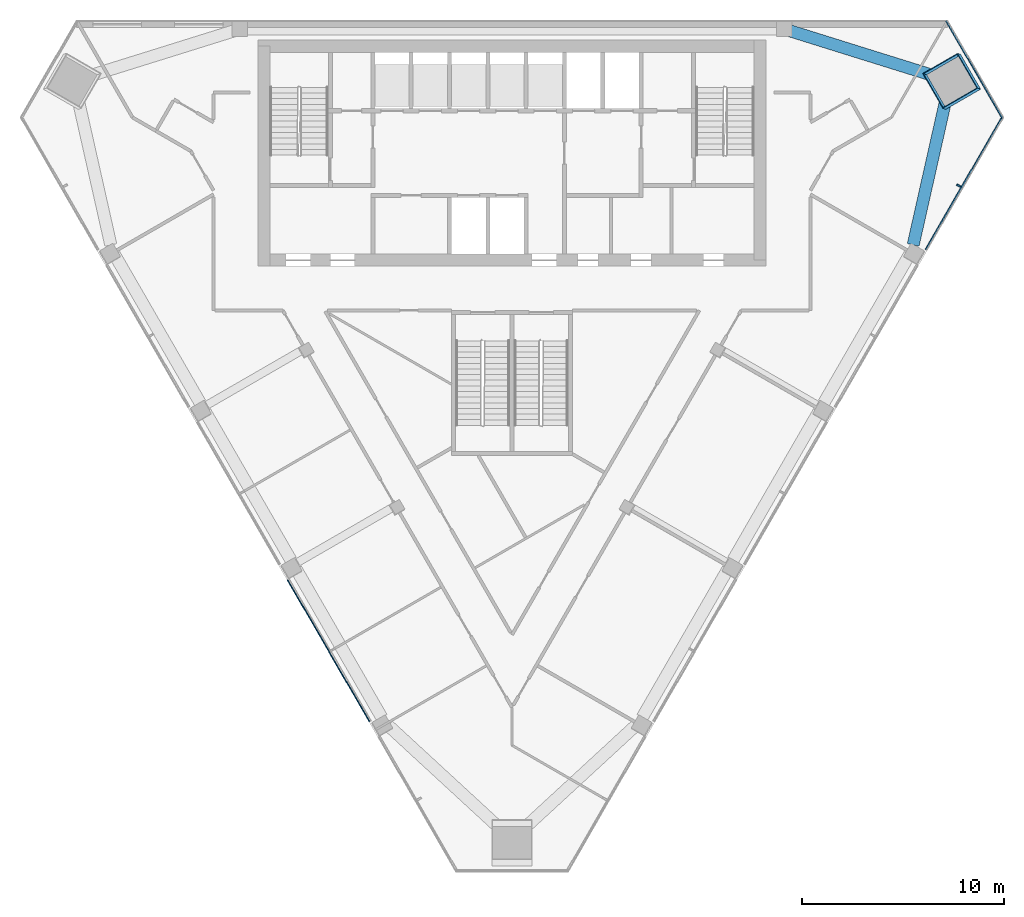
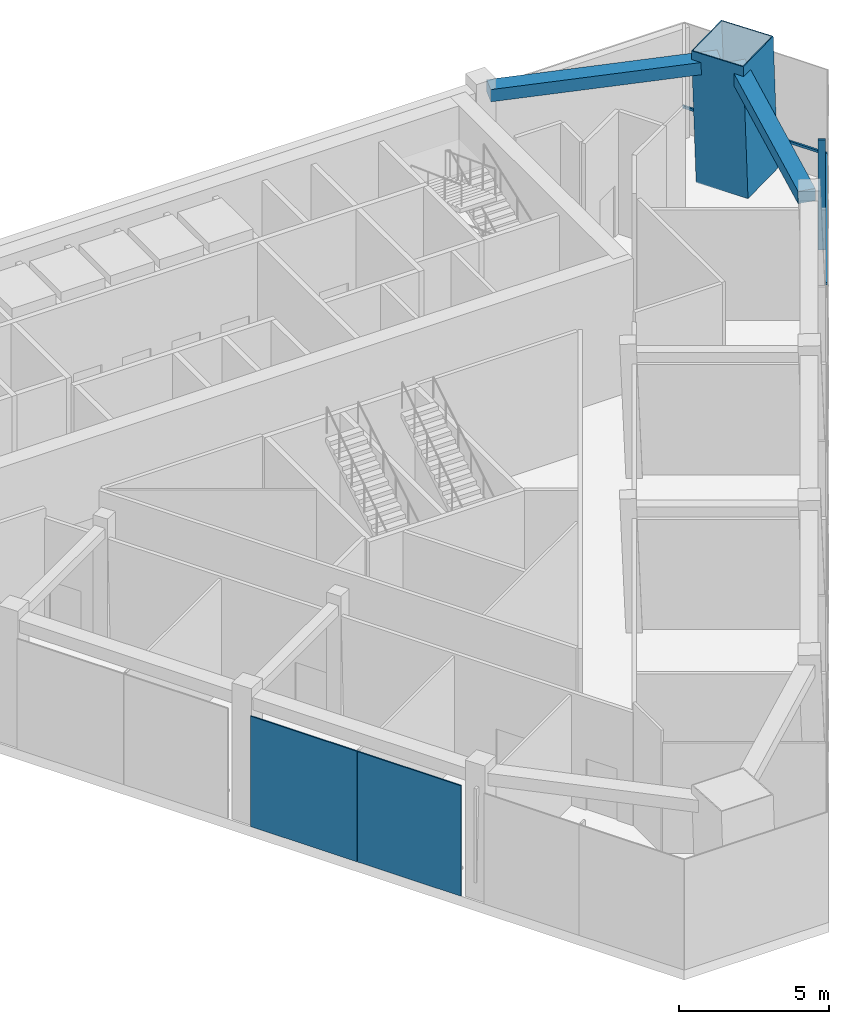
# One storey, part 4 of 10: 4 members, 2 beams, 2 plates, 3 elements without a shape of their own.
"""IFC4 building model written with IfcOpenShell, lengths in metres."""

from ifc_helpers import new_model, si_unit, direction, frame, origin, origin_2d, place, context, subcontext, project, spatial, rectangle, hollow_rectangle, extrude, material, layer, layer_set, material_profile, profile_set, type_object, element, aggregate, save


model = new_model("IFC4")

# Units and contexts
model_context = context("Model", 3, precision=1e-05, world=origin(), true_north=direction((0.0, 1.0)))
body_context = subcontext(model_context, "Body", "Model", "MODEL_VIEW")
ifc_project = project(units=[si_unit("LENGTHUNIT", "METRE"), si_unit("AREAUNIT", "SQUARE_METRE"), si_unit("VOLUMEUNIT", "CUBIC_METRE"), si_unit("PLANEANGLEUNIT", "RADIAN"), si_unit("MASSUNIT", "GRAM", prefix="KILO")], contexts=[model_context])

# Site, building, storey
site_placement = place(None, origin())
site = spatial("IfcSite", under=ifc_project, at=site_placement, CompositionType="ELEMENT")
building_placement = place(site_placement, origin())
building = spatial("IfcBuilding", under=site, at=building_placement, Name="Altiplano Prism Tower", CompositionType="ELEMENT")
storey_placement = place(building_placement, frame((0.0, 0.0, 233.800048828125)))
storey = spatial("IfcBuildingStorey", under=building, at=storey_placement, Name="L60", CompositionType="ELEMENT", Elevation=233.800048828125)

# Curtain wall, members
ifc_material_1 = material(Name="Aluminium and glass", Category="aluminium")
ifc_layer_1 = layer(ifc_material_1, 0.360107421875)
ifc_layer_set_1 = layer_set([ifc_layer_1], Name="Aluminium and glass")
curtain_wall_type = type_object("IfcCurtainWallType", Name="CW3 sky-lobby unitised glazing", PredefinedType="NOTDEFINED", material=ifc_layer_set_1)
curtain_wall_1_placement = place(storey_placement, origin())
curtain_wall_1 = element("IfcCurtainWall", 1, at=curtain_wall_1_placement, inside=storey, type_object=curtain_wall_type, Name="CW3 curtain wall south-east face L60", PredefinedType="NOTDEFINED")
ifc_material_2 = material(Name="Aluminium", Category="aluminium")
ifc_material_profile_1 = material_profile(ifc_material_2, rectangle(XDim=0.239990234375, YDim=0.080078125, at=origin_2d()), Name="CW3 mullion 80 x 240")
ifc_profile_set_1 = profile_set([ifc_material_profile_1], Name="Aluminium")
member_type_1 = type_object("IfcMemberType", Name="CW3 mullion 80 x 240", PredefinedType="MULLION", material=ifc_profile_set_1)
member_1_placement = place(storey_placement, frame((107.159912109375, 96.779541015625, 0.0), z_axis=(0.0, 0.0, 1.0), x_axis=(-0.866025409483, 0.49999999013, 0.0)))
member_1 = element("IfcMember", 2, at=member_1_placement, type_object=member_type_1, Name="CW3 mullion", PredefinedType="MULLION", context=body_context, shape_type="SweptSolid", body=[
    extrude(rectangle(XDim=0.239990234375, YDim=0.080078125, at=origin_2d()), origin(), (0.0, 0.0, 1.0), 4.5),
])
ifc_material_profile_2 = material_profile(ifc_material_2, rectangle(XDim=0.070068359375, YDim=0.10009765625, at=origin_2d()), Name="CW3 transom 100 x 70")
ifc_profile_set_2 = profile_set([ifc_material_profile_2], Name="Aluminium")
member_type_2 = type_object("IfcMemberType", Name="CW3 transom 100 x 70", PredefinedType="USERDEFINED", material=ifc_profile_set_2)
member_2_placement = place(storey_placement, frame((105.51513671875, 93.620849609375, 1.099853515625), z_axis=(0.500010333568, 0.866019437614, 0.0), x_axis=(-0.866019437614, 0.500010333568, 0.0)))
member_2 = element("IfcMember", 3, at=member_2_placement, type_object=member_type_2, Name="CW3 transom", ObjectType="TRANSOM", PredefinedType="USERDEFINED", context=body_context, shape_type="SweptSolid", body=[
    extrude(rectangle(XDim=0.070068359375, YDim=0.10009765625, at=origin_2d()), origin(), (0.0, 0.0, 1.0), 7.610107421875),
])
aggregate(curtain_wall_1, [member_1, member_2])

# Curtain wall, member
curtain_wall_2_placement = place(storey_placement, origin())
curtain_wall_2 = element("IfcCurtainWall", 4, at=curtain_wall_2_placement, inside=storey, type_object=curtain_wall_type, Name="CW3 curtain wall north-east chamfer L60", PredefinedType="NOTDEFINED")
member_3_placement = place(storey_placement, frame((109.3203125, 100.12646484375, 1.099853515625), z_axis=(-0.500012895461, 0.866017958458, 0.0), x_axis=(-0.866017958458, -0.500012895461, 0.0)))
member_3 = element("IfcMember", 5, at=member_3_placement, type_object=member_type_2, Name="CW3 transom", ObjectType="TRANSOM", PredefinedType="USERDEFINED", context=body_context, shape_type="SweptSolid", body=[
    extrude(rectangle(XDim=0.070068359375, YDim=0.10009765625, at=origin_2d()), origin(), (0.0, 0.0, 1.0), 5.578369140625),
])
aggregate(curtain_wall_2, [member_3])

# Beams
ifc_material_3 = material(Name="Concrete C60/75", Category="concrete")
ifc_material_profile_3 = material_profile(ifc_material_3, rectangle(XDim=0.60009765625, YDim=0.5, at=origin_2d()), Name="Edge beam 600x500")
ifc_profile_set_3 = profile_set([ifc_material_profile_3], Name="Concrete C60/75")
beam_type = type_object("IfcBeamType", Name="Edge beam 600x500", PredefinedType="SPANDREL", material=ifc_profile_set_3)
beam_1_placement = place(storey_placement, frame((104.8916015625, 93.84912109375, 4.75), z_axis=(0.21927946686, 0.975662090795, 0.0), x_axis=(-0.975662090795, 0.21927946686, 0.0)))
element("IfcBeam", 6, at=beam_1_placement, inside=storey, type_object=beam_type, Name="Edge beam P24-M2 L61", PredefinedType="SPANDREL", context=body_context, shape_type="SweptSolid", body=[
    extrude(rectangle(XDim=0.60009765625, YDim=0.5, at=origin_2d()), origin(), (0.0, 0.0, 1.0), 7.88818359375),
])
beam_2_placement = place(storey_placement, frame((106.29052734375, 102.118408203125, 4.75), z_axis=(-0.954580702732, 0.297952482742, 0.0), x_axis=(-0.297952482742, -0.954580702732, 0.0)))
element("IfcBeam", 7, at=beam_2_placement, inside=storey, type_object=beam_type, Name="Edge beam M2-P01 L61", PredefinedType="SPANDREL", context=body_context, shape_type="SweptSolid", body=[
    extrude(rectangle(XDim=0.60009765625, YDim=0.5, at=origin_2d()), origin(), (0.0, 0.0, 1.0), 7.888427734375),
])

# Member
ifc_material_4 = material(Name="Steel S460", Category="steel")
ifc_material_profile_4 = material_profile(ifc_material_4, hollow_rectangle(XDim=2.0, YDim=2.0, WallThickness=0.0400390625, at=origin_2d()), Name="Mega column tube 2000")
ifc_profile_set_4 = profile_set([ifc_material_profile_4], Name="Steel S460")
member_type_3 = type_object("IfcMemberType", Name="Mega column tube 2000", PredefinedType="POST", material=ifc_profile_set_4)
member_4_placement = place(storey_placement, frame((106.87353515625, 101.934326171875, 0.0), z_axis=(-0.028425663377, 0.009264325902, 0.999552977049), x_axis=(0.499708960724, -0.86590789945, 0.022236551934)))
element("IfcMember", 8, at=member_4_placement, inside=storey, type_object=member_type_3, Name="Mega column tube M2 L60", PredefinedType="POST", context=body_context, shape_type="SweptSolid", body=[
    extrude(hollow_rectangle(XDim=2.0, YDim=2.0, WallThickness=0.0400390625, at=origin_2d()), origin(), (0.0, 0.0, 1.0), 5.40234375),
])

# Curtain wall, plates
curtain_wall_3_placement = place(storey_placement, origin())
curtain_wall_3 = element("IfcCurtainWall", 9, at=curtain_wall_3_placement, inside=storey, type_object=curtain_wall_type, Name="CW3 curtain wall south-west face L60", PredefinedType="NOTDEFINED")
ifc_material_5 = material(Name="Clear glass", Category="glass")
ifc_layer_2 = layer(ifc_material_5, 0.050048828125)
ifc_layer_set_2 = layer_set([ifc_layer_2], Name="Clear glass")
plate_type = type_object("IfcPlateType", Name="CW3 insulated glass unit 50", PredefinedType="CURTAIN_PANEL", material=ifc_layer_set_2)
plate_1_placement = place(storey_placement, frame((74.89892578125, 75.462890625, 0.0), z_axis=(0.0, 0.0, 1.0), x_axis=(0.49999999013, -0.866025409483, 0.0)))
plate_1 = element("IfcPlate", 10, at=plate_1_placement, type_object=plate_type, Name="CW3 panel", PredefinedType="CURTAIN_PANEL", context=body_context, shape_type="SweptSolid", body=[
    extrude(rectangle(XDim=4.114501953125, YDim=0.050048828125, at=origin_2d()), origin(), (0.0, 0.0, 1.0), 4.5),
])
plate_2_placement = place(storey_placement, frame((76.931396484375, 71.942626953125, 0.0), z_axis=(0.0, 0.0, 1.0), x_axis=(0.49999999013, -0.866025409483, 0.0)))
plate_2 = element("IfcPlate", 11, at=plate_2_placement, type_object=plate_type, Name="CW3 panel", PredefinedType="CURTAIN_PANEL", context=body_context, shape_type="SweptSolid", body=[
    extrude(rectangle(XDim=3.995361328125, YDim=0.050048828125, at=origin_2d()), origin(), (0.0, 0.0, 1.0), 4.5),
])
aggregate(curtain_wall_3, [plate_1, plate_2])

save(model, "model.ifc")
